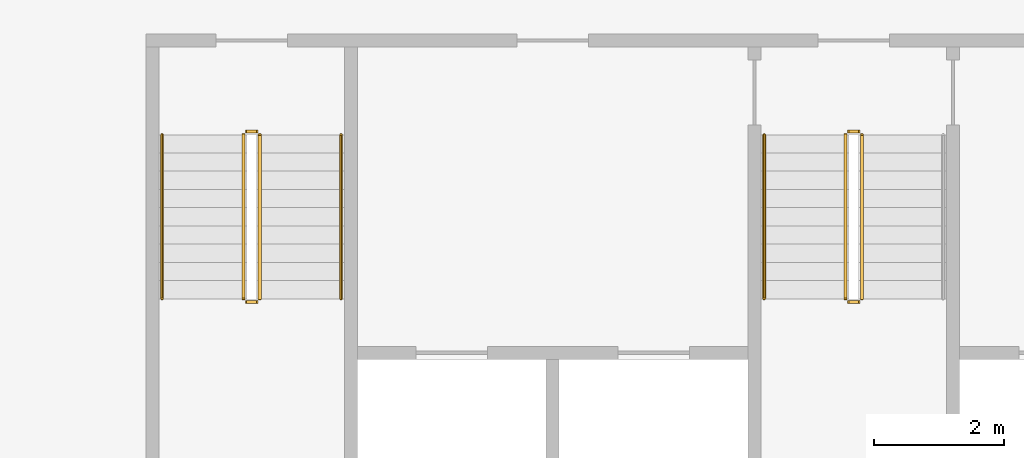
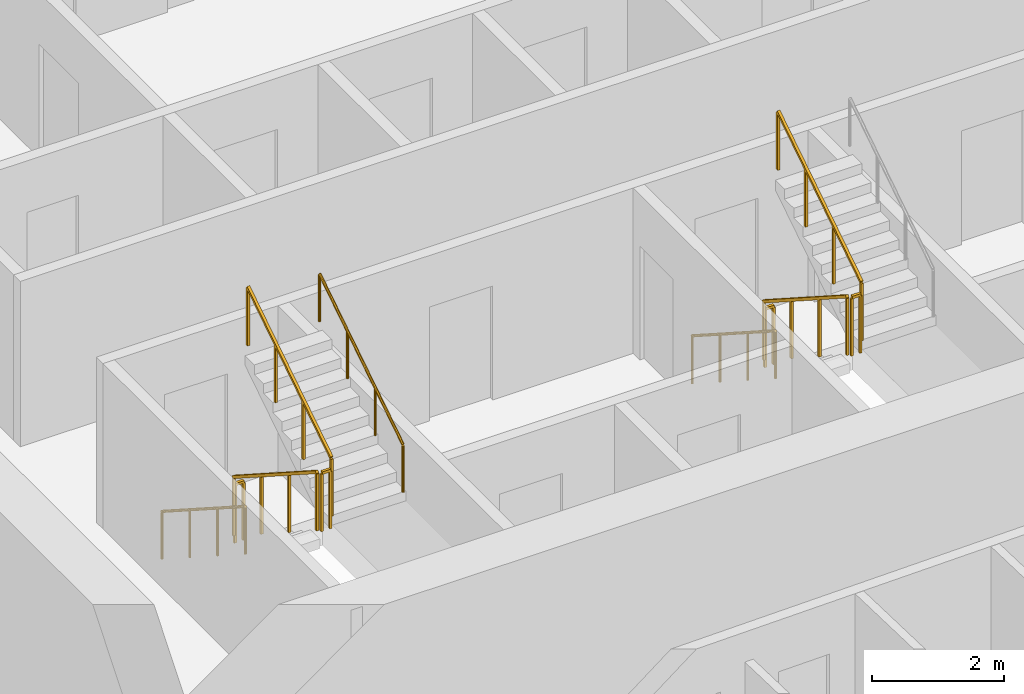
# One storey, part 15 of 17: 11 railings.
"""IFC4 building model written with IfcOpenShell, lengths in metres."""

from ifc_helpers import new_model, si_unit, direction, frame, origin, origin_2d, place, context, subcontext, project, spatial, rectangle, circle, extrude, material, type_object, element, save


model = new_model("IFC4")

# Units and contexts
model_context = context("Model", 3, precision=1e-05, world=origin(), true_north=direction((0.0, 1.0)))
body_context = subcontext(model_context, "Body", "Model", "MODEL_VIEW")
ifc_project = project(units=[si_unit("LENGTHUNIT", "METRE"), si_unit("AREAUNIT", "SQUARE_METRE"), si_unit("VOLUMEUNIT", "CUBIC_METRE"), si_unit("PLANEANGLEUNIT", "RADIAN"), si_unit("MASSUNIT", "GRAM", prefix="KILO")], contexts=[model_context])

# Site, building, storey
site_placement = place(None, origin())
site = spatial("IfcSite", under=ifc_project, at=site_placement, CompositionType="ELEMENT")
building_placement = place(site_placement, origin())
building = spatial("IfcBuilding", under=site, at=building_placement, Name="Mangrove Gate Tower", CompositionType="ELEMENT")
storey_placement = place(building_placement, frame((0.0, 0.0, 245.5)))
storey = spatial("IfcBuildingStorey", under=building, at=storey_placement, Name="L62", CompositionType="ELEMENT", Elevation=245.5)

# Railings
ifc_material_1 = material(Name="Stainless steel 316", Category="steel")
railing_type_1 = type_object("IfcRailingType", Name="Core stair guard 1100", PredefinedType="GUARDRAIL", material=ifc_material_1)
railing_1_placement = place(storey_placement, frame((-9.39990234375, -4.64990234375, 0.179931640625)))
element("IfcRailing", 1, at=railing_1_placement, inside=storey, type_object=railing_type_1, Name="L62 ST1 stair guard 1", PredefinedType="GUARDRAIL", context=body_context, shape_type="SweptSolid", body=[
    extrude(rectangle(XDim=0.048095703125, YDim=0.048095703125, at=origin_2d()), frame((0.0, 0.0, 1.076171875), z_axis=(0.0, -0.841162588446, 0.540782303519), x_axis=(1.0, 0.0, 0.0)), (0.0, 0.0, 1.0), 2.995849609375),
    extrude(rectangle(XDim=0.0419921875, YDim=0.0419921875, at=origin_2d()), origin(), (0.0, 0.0, 1.0), 1.052001953125),
    extrude(rectangle(XDim=0.0419921875, YDim=0.0419921875, at=origin_2d()), frame((0.0, -0.840087890625, 0.5400390625)), (0.0, 0.0, 1.0), 1.052001953125),
    extrude(rectangle(XDim=0.0419921875, YDim=0.0419921875, at=origin_2d()), frame((0.0, -1.679931640625, 1.080078125)), (0.0, 0.0, 1.0), 1.052001953125),
    extrude(rectangle(XDim=0.0419921875, YDim=0.0419921875, at=origin_2d()), frame((0.0, -2.52001953125, 1.6201171875)), (0.0, 0.0, 1.0), 1.052001953125),
])
railing_2_placement = place(storey_placement, frame((-9.35009765625, -7.219970703125, 1.800048828125)))
element("IfcRailing", 2, at=railing_2_placement, inside=storey, type_object=railing_type_1, Name="L62 ST1 stair guard 2", PredefinedType="GUARDRAIL", context=body_context, shape_type="SweptSolid", body=[
    extrude(rectangle(XDim=0.048095703125, YDim=0.048095703125, at=origin_2d()), frame((0.0, 0.0, 1.076171875), z_axis=(1.0, 0.0, 0.0), x_axis=(0.0, 1.0, 0.0)), (0.0, 0.0, 1.0), 0.150146484375),
    extrude(rectangle(XDim=0.0419921875, YDim=0.0419921875, at=origin_2d()), origin(), (0.0, 0.0, 1.0), 1.052001953125),
    extrude(rectangle(XDim=0.0419921875, YDim=0.0419921875, at=origin_2d()), frame((0.150146484375, 0.0, 0.0)), (0.0, 0.0, 1.0), 1.052001953125),
])
railing_3_placement = place(storey_placement, frame((-9.14990234375, -7.169921875, 1.97998046875)))
element("IfcRailing", 3, at=railing_3_placement, inside=storey, type_object=railing_type_1, Name="L62 ST1 stair guard 3", PredefinedType="GUARDRAIL", context=body_context, shape_type="SweptSolid", body=[
    extrude(rectangle(XDim=0.048095703125, YDim=0.048095703125, at=origin_2d()), frame((0.0, 0.0, 1.076171875), z_axis=(0.0, 0.841162588446, 0.540782303519), x_axis=(-1.0, 0.0, 0.0)), (0.0, 0.0, 1.0), 2.995849609375),
    extrude(rectangle(XDim=0.0419921875, YDim=0.0419921875, at=origin_2d()), origin(), (0.0, 0.0, 1.0), 1.052001953125),
    extrude(rectangle(XDim=0.0419921875, YDim=0.0419921875, at=origin_2d()), frame((0.0, 0.840087890625, 0.5400390625)), (0.0, 0.0, 1.0), 1.052001953125),
    extrude(rectangle(XDim=0.0419921875, YDim=0.0419921875, at=origin_2d()), frame((0.0, 1.679931640625, 1.080078125)), (0.0, 0.0, 1.0), 1.052001953125),
    extrude(rectangle(XDim=0.0419921875, YDim=0.0419921875, at=origin_2d()), frame((0.0, 2.52001953125, 1.6201171875)), (0.0, 0.0, 1.0), 1.052001953125),
])
railing_4_placement = place(storey_placement, frame((-9.35009765625, -4.60009765625, 0.0)))
element("IfcRailing", 4, at=railing_4_placement, inside=storey, type_object=railing_type_1, Name="L62 ST1 stair guard 4", PredefinedType="GUARDRAIL", context=body_context, shape_type="SweptSolid", body=[
    extrude(rectangle(XDim=0.048095703125, YDim=0.048095703125, at=origin_2d()), frame((0.0, 0.0, 1.076171875), z_axis=(1.0, 0.0, 0.0), x_axis=(0.0, 1.0, 0.0)), (0.0, 0.0, 1.0), 0.150146484375),
    extrude(rectangle(XDim=0.0419921875, YDim=0.0419921875, at=origin_2d()), origin(), (0.0, 0.0, 1.0), 1.052001953125),
    extrude(rectangle(XDim=0.0419921875, YDim=0.0419921875, at=origin_2d()), frame((0.150146484375, 0.0, 0.0)), (0.0, 0.0, 1.0), 1.052001953125),
])
railing_5_placement = place(storey_placement, frame((-0.14990234375, -4.64990234375, 0.179931640625)))
element("IfcRailing", 5, at=railing_5_placement, inside=storey, type_object=railing_type_1, Name="L62 ST2 stair guard 1", PredefinedType="GUARDRAIL", context=body_context, shape_type="SweptSolid", body=[
    extrude(rectangle(XDim=0.048095703125, YDim=0.048095703125, at=origin_2d()), frame((0.0, 0.0, 1.076171875), z_axis=(0.0, -0.841162588446, 0.540782303519), x_axis=(1.0, 0.0, 0.0)), (0.0, 0.0, 1.0), 2.995849609375),
    extrude(rectangle(XDim=0.0419921875, YDim=0.0419921875, at=origin_2d()), origin(), (0.0, 0.0, 1.0), 1.052001953125),
    extrude(rectangle(XDim=0.0419921875, YDim=0.0419921875, at=origin_2d()), frame((0.0, -0.840087890625, 0.5400390625)), (0.0, 0.0, 1.0), 1.052001953125),
    extrude(rectangle(XDim=0.0419921875, YDim=0.0419921875, at=origin_2d()), frame((0.0, -1.679931640625, 1.080078125)), (0.0, 0.0, 1.0), 1.052001953125),
    extrude(rectangle(XDim=0.0419921875, YDim=0.0419921875, at=origin_2d()), frame((0.0, -2.52001953125, 1.6201171875)), (0.0, 0.0, 1.0), 1.052001953125),
])
railing_6_placement = place(storey_placement, frame((-0.10009765625, -7.219970703125, 1.800048828125)))
element("IfcRailing", 6, at=railing_6_placement, inside=storey, type_object=railing_type_1, Name="L62 ST2 stair guard 2", PredefinedType="GUARDRAIL", context=body_context, shape_type="SweptSolid", body=[
    extrude(rectangle(XDim=0.048095703125, YDim=0.048095703125, at=origin_2d()), frame((0.0, 0.0, 1.076171875), z_axis=(1.0, 0.0, 0.0), x_axis=(0.0, 1.0, 0.0)), (0.0, 0.0, 1.0), 0.150146484375),
    extrude(rectangle(XDim=0.0419921875, YDim=0.0419921875, at=origin_2d()), origin(), (0.0, 0.0, 1.0), 1.052001953125),
    extrude(rectangle(XDim=0.0419921875, YDim=0.0419921875, at=origin_2d()), frame((0.150146484375, 0.0, 0.0)), (0.0, 0.0, 1.0), 1.052001953125),
])
railing_7_placement = place(storey_placement, frame((0.10009765625, -7.169921875, 1.97998046875)))
element("IfcRailing", 7, at=railing_7_placement, inside=storey, type_object=railing_type_1, Name="L62 ST2 stair guard 3", PredefinedType="GUARDRAIL", context=body_context, shape_type="SweptSolid", body=[
    extrude(rectangle(XDim=0.048095703125, YDim=0.048095703125, at=origin_2d()), frame((0.0, 0.0, 1.076171875), z_axis=(0.0, 0.841162588446, 0.540782303519), x_axis=(-1.0, 0.0, 0.0)), (0.0, 0.0, 1.0), 2.995849609375),
    extrude(rectangle(XDim=0.0419921875, YDim=0.0419921875, at=origin_2d()), origin(), (0.0, 0.0, 1.0), 1.052001953125),
    extrude(rectangle(XDim=0.0419921875, YDim=0.0419921875, at=origin_2d()), frame((0.0, 0.840087890625, 0.5400390625)), (0.0, 0.0, 1.0), 1.052001953125),
    extrude(rectangle(XDim=0.0419921875, YDim=0.0419921875, at=origin_2d()), frame((0.0, 1.679931640625, 1.080078125)), (0.0, 0.0, 1.0), 1.052001953125),
    extrude(rectangle(XDim=0.0419921875, YDim=0.0419921875, at=origin_2d()), frame((0.0, 2.52001953125, 1.6201171875)), (0.0, 0.0, 1.0), 1.052001953125),
])
railing_8_placement = place(storey_placement, frame((-0.10009765625, -4.60009765625, 0.0)))
element("IfcRailing", 8, at=railing_8_placement, inside=storey, type_object=railing_type_1, Name="L62 ST2 stair guard 4", PredefinedType="GUARDRAIL", context=body_context, shape_type="SweptSolid", body=[
    extrude(rectangle(XDim=0.048095703125, YDim=0.048095703125, at=origin_2d()), frame((0.0, 0.0, 1.076171875), z_axis=(1.0, 0.0, 0.0), x_axis=(0.0, 1.0, 0.0)), (0.0, 0.0, 1.0), 0.150146484375),
    extrude(rectangle(XDim=0.0419921875, YDim=0.0419921875, at=origin_2d()), origin(), (0.0, 0.0, 1.0), 1.052001953125),
    extrude(rectangle(XDim=0.0419921875, YDim=0.0419921875, at=origin_2d()), frame((0.150146484375, 0.0, 0.0)), (0.0, 0.0, 1.0), 1.052001953125),
])
ifc_material_2 = material(Name="Stainless steel 316", Category="steel")
railing_type_2 = type_object("IfcRailingType", Name="Core stair handrail 900", PredefinedType="HANDRAIL", material=ifc_material_2)
railing_9_placement = place(storey_placement, frame((-10.64990234375, -4.64990234375, 0.179931640625)))
element("IfcRailing", 9, at=railing_9_placement, inside=storey, type_object=railing_type_2, Name="L62 ST1 stair handrail 1", PredefinedType="HANDRAIL", context=body_context, shape_type="SweptSolid", body=[
    extrude(circle(Radius=0.02392578125, at=origin_2d()), frame((0.0, 0.0, 0.8759765625), z_axis=(0.0, -0.841162588446, 0.540782303519), x_axis=(1.0, 0.0, 0.0)), (0.0, 0.0, 1.0), 2.995849609375),
    extrude(circle(Radius=0.02099609375, at=origin_2d()), origin(), (0.0, 0.0, 1.0), 0.851806640625),
    extrude(circle(Radius=0.02099609375, at=origin_2d()), frame((0.0, -0.840087890625, 0.5400390625)), (0.0, 0.0, 1.0), 0.851806640625),
    extrude(circle(Radius=0.02099609375, at=origin_2d()), frame((0.0, -1.679931640625, 1.080078125)), (0.0, 0.0, 1.0), 0.851806640625),
    extrude(circle(Radius=0.02099609375, at=origin_2d()), frame((0.0, -2.52001953125, 1.6201171875)), (0.0, 0.0, 1.0), 0.851806640625),
])
railing_10_placement = place(storey_placement, frame((-7.89990234375, -7.169921875, 1.97998046875)))
element("IfcRailing", 10, at=railing_10_placement, inside=storey, type_object=railing_type_2, Name="L62 ST1 stair handrail 2", PredefinedType="HANDRAIL", context=body_context, shape_type="SweptSolid", body=[
    extrude(circle(Radius=0.02392578125, at=origin_2d()), frame((0.0, 0.0, 0.8759765625), z_axis=(0.0, 0.841162588446, 0.540782303519), x_axis=(-1.0, 0.0, 0.0)), (0.0, 0.0, 1.0), 2.995849609375),
    extrude(circle(Radius=0.02099609375, at=origin_2d()), origin(), (0.0, 0.0, 1.0), 0.851806640625),
    extrude(circle(Radius=0.02099609375, at=origin_2d()), frame((0.0, 0.840087890625, 0.5400390625)), (0.0, 0.0, 1.0), 0.851806640625),
    extrude(circle(Radius=0.02099609375, at=origin_2d()), frame((0.0, 1.679931640625, 1.080078125)), (0.0, 0.0, 1.0), 0.851806640625),
    extrude(circle(Radius=0.02099609375, at=origin_2d()), frame((0.0, 2.52001953125, 1.6201171875)), (0.0, 0.0, 1.0), 0.851806640625),
])
railing_11_placement = place(storey_placement, frame((-1.39990234375, -4.64990234375, 0.179931640625)))
element("IfcRailing", 11, at=railing_11_placement, inside=storey, type_object=railing_type_2, Name="L62 ST2 stair handrail 1", PredefinedType="HANDRAIL", context=body_context, shape_type="SweptSolid", body=[
    extrude(circle(Radius=0.02392578125, at=origin_2d()), frame((0.0, 0.0, 0.8759765625), z_axis=(0.0, -0.841162588446, 0.540782303519), x_axis=(1.0, 0.0, 0.0)), (0.0, 0.0, 1.0), 2.995849609375),
    extrude(circle(Radius=0.02099609375, at=origin_2d()), origin(), (0.0, 0.0, 1.0), 0.851806640625),
    extrude(circle(Radius=0.02099609375, at=origin_2d()), frame((0.0, -0.840087890625, 0.5400390625)), (0.0, 0.0, 1.0), 0.851806640625),
    extrude(circle(Radius=0.02099609375, at=origin_2d()), frame((0.0, -1.679931640625, 1.080078125)), (0.0, 0.0, 1.0), 0.851806640625),
    extrude(circle(Radius=0.02099609375, at=origin_2d()), frame((0.0, -2.52001953125, 1.6201171875)), (0.0, 0.0, 1.0), 0.851806640625),
])

save(model, "model.ifc")
